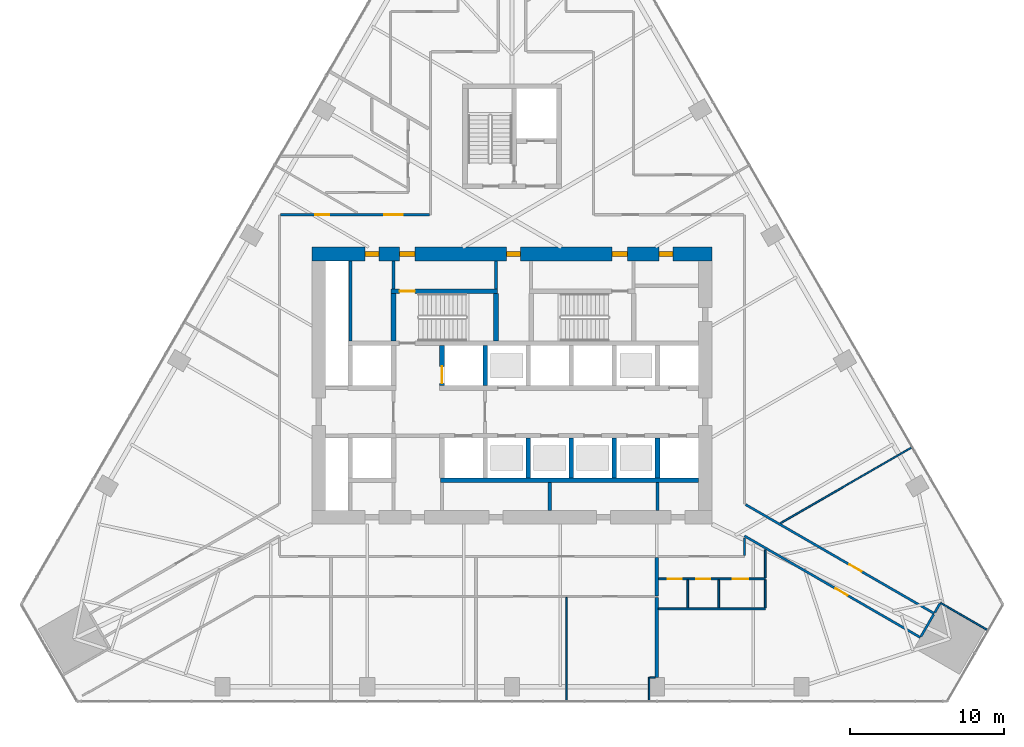
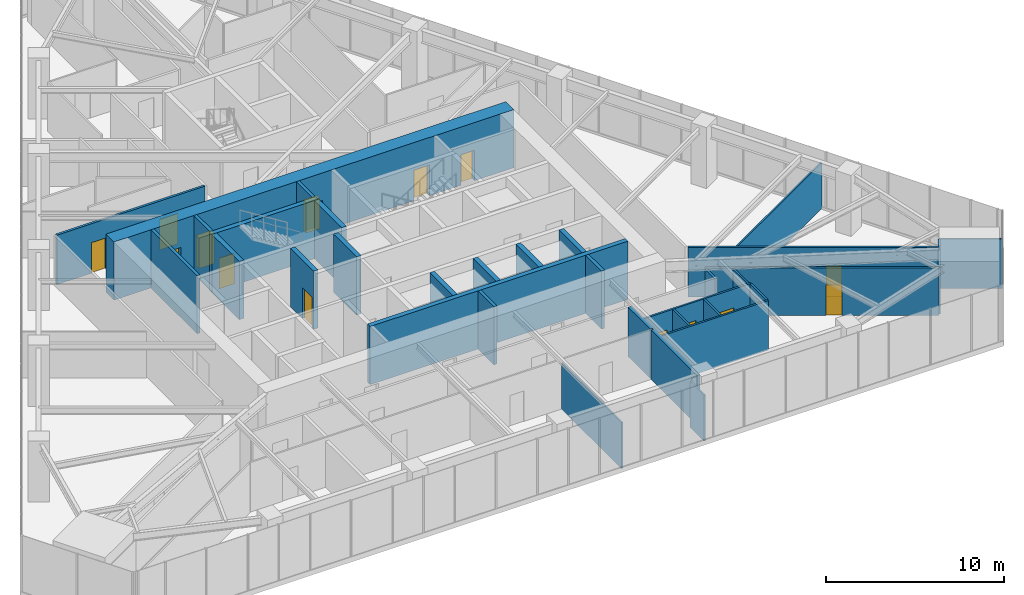
# One storey, part 17 of 21: 35 walls, 14 doors, 14 openings.
"""IFC4 building model written with IfcOpenShell, lengths in metres."""

from ifc_helpers import new_model, si_unit, direction, frame, frame_2d, origin, place, context, subcontext, project, spatial, rectangle, extrude, material, layer, layer_set, type_object, element, fill, save


model = new_model("IFC4")

# Units and contexts
model_context = context("Model", 3, precision=1e-05, world=origin(), true_north=direction((0.0, 1.0)))
body_context = subcontext(model_context, "Body", "Model", "MODEL_VIEW")
ifc_project = project(units=[si_unit("LENGTHUNIT", "METRE"), si_unit("AREAUNIT", "SQUARE_METRE"), si_unit("VOLUMEUNIT", "CUBIC_METRE"), si_unit("PLANEANGLEUNIT", "RADIAN"), si_unit("MASSUNIT", "GRAM", prefix="KILO")], contexts=[model_context])

# Site, building, storey
site_placement = place(None, origin())
site = spatial("IfcSite", under=ifc_project, at=site_placement, CompositionType="ELEMENT")
building_placement = place(site_placement, origin())
building = spatial("IfcBuilding", under=site, at=building_placement, Name="Firuza Gate Tower and Library", CompositionType="ELEMENT")
storey_placement = place(building_placement, frame((0.0, 0.0, 98.800048828125)))
storey = spatial("IfcBuildingStorey", under=building, at=storey_placement, Name="L22", CompositionType="ELEMENT", Elevation=98.800048828125)

# Walls
ifc_material_1 = material(Name="Plasterboard on steel studs", Category="steel")
ifc_layer_1 = layer(ifc_material_1, 0.199951171875)
ifc_layer_set_1 = layer_set([ifc_layer_1], Name="Core partition 200 EI 120")
wall_type_1 = type_object("IfcWallType", Name="Core partition 200 EI 120", PredefinedType="PARTITIONING", material=ifc_layer_set_1)
wall_1_placement = place(storey_placement, frame((64.5, 77.89990234375, 0.0), z_axis=(0.0, 0.0, 1.0), x_axis=(0.0, 1.0, 0.0)))
element("IfcWall", 1, at=wall_1_placement, inside=storey, type_object=wall_type_1, Name="Core partition L22 6", PredefinedType="PARTITIONING", context=body_context, shape_type="SweptSolid", body=[
    extrude(rectangle(XDim=5.2001953125, YDim=0.199951171875, at=frame_2d((2.60009765625, 0.0))), origin(), (0.0, 0.0, 1.0), 4.0),
])
wall_2_placement = place(storey_placement, frame((67.300048828125, 81.280029296875, 0.0), z_axis=(0.0, 0.0, 1.0), x_axis=(0.0, 1.0, 0.0)))
element("IfcWall", 2, at=wall_2_placement, inside=storey, type_object=wall_type_1, Name="Core partition L22 9", PredefinedType="PARTITIONING", context=body_context, shape_type="SweptSolid", body=[
    extrude(rectangle(XDim=1.820068359375, YDim=0.199951171875, at=frame_2d((0.91015625, 0.0))), origin(), (0.0, 0.0, 1.0), 4.0),
])
for number, where, z_axis, x_axis, name in (
    (3, (77.449951171875, 66.89990234375, 0.0), (0.0, 0.0, 1.0), (0.0, 1.0, 0.0), "Core partition L22 14"),
    (4, (84.449951171875, 66.89990234375, 0.0), (0.0, 0.0, 1.0), (0.0, 1.0, 0.0), "Core partition L22 16"),
):
    element("IfcWall", number, at=place(storey_placement, frame(where, z_axis=z_axis, x_axis=x_axis)), inside=storey, type_object=wall_type_1, Name=name, PredefinedType="PARTITIONING", context=body_context, shape_type="SweptSolid", body=[
        extrude(rectangle(XDim=1.800048828125, YDim=0.199951171875, at=frame_2d((0.89990234375, 0.0))), origin(), (0.0, 0.0, 1.0), 4.0),
    ])
ifc_material_2 = material(Name="Plasterboard on steel studs", Category="steel")
ifc_layer_2 = layer(ifc_material_2, 0.199951171875)
ifc_layer_set_2 = layer_set([ifc_layer_2], Name="Core partition 200 EI 60")
wall_type_2 = type_object("IfcWallType", Name="Core partition 200 EI 60", PredefinedType="PARTITIONING", material=ifc_layer_set_2)
wall_3_placement = place(storey_placement, frame((73.9599609375, 81.280029296875, 0.0), z_axis=(0.0, 0.0, 1.0), x_axis=(0.0, 1.0, 0.0)))
element("IfcWall", 5, at=wall_3_placement, inside=storey, type_object=wall_type_2, Name="Core partition L22 12", PredefinedType="PARTITIONING", context=body_context, shape_type="SweptSolid", body=[
    extrude(rectangle(XDim=1.820068359375, YDim=0.199951171875, at=frame_2d((0.91015625, 0.0))), origin(), (0.0, 0.0, 1.0), 4.0),
])
ifc_material_3 = material(Name="Concrete C80/95", Category="concrete")
ifc_layer_3 = layer(ifc_material_3, 0.300048828125)
ifc_layer_set_3 = layer_set([ifc_layer_3], Name="Core wall 300 C80/95")
wall_type_3 = type_object("IfcWallType", Name="Core wall 300 C80/95", PredefinedType="SHEAR", material=ifc_layer_set_3)
wall_4_placement = place(storey_placement, frame((70.35009765625, 68.85009765625, 0.0), z_axis=(0.0, 0.0, 1.0), x_axis=(1.0, 0.0, 0.0)))
element("IfcWall", 6, at=wall_4_placement, inside=storey, type_object=wall_type_3, Name="Core wall L22 6", PredefinedType="SHEAR", context=body_context, shape_type="SweptSolid", body=[
    extrude(rectangle(XDim=16.75, YDim=0.300048828125, at=frame_2d((8.375, 0.0))), origin(), (0.0, 0.0, 1.0), 4.0),
])

# Wall, opening, door
wall_5_placement = place(storey_placement, frame((70.449951171875, 75.0, 0.0), z_axis=(0.0, 0.0, 1.0), x_axis=(0.0, 1.0, 0.0)))
wall_5 = element("IfcWall", 7, at=wall_5_placement, inside=storey, type_object=wall_type_3, Name="Core wall L22 16", PredefinedType="SHEAR", context=body_context, shape_type="SweptSolid", body=[
    extrude(rectangle(XDim=2.60009765625, YDim=0.300048828125, at=frame_2d((1.300048828125, 0.0))), origin(), (0.0, 0.0, 1.0), 4.0),
])
opening_1_placement = place(wall_5_placement, frame((0.14990234375, 0.0, 0.0)))
opening_1 = element("IfcOpeningElement", 8, at=opening_1_placement, cuts=wall_5, Name="Opening LD-FF2-L22", PredefinedType="OPENING", context=body_context, shape_type="SweptSolid", body=[
    extrude(rectangle(XDim=1.10009765625, YDim=2.10009765625, at=frame_2d((0.550048828125, 1.050048828125))), frame((0.0, 0.16015625, 0.0), z_axis=(0.0, -1.0, 0.0), x_axis=(1.0, 0.0, 0.0)), (0.0, 0.0, 1.0), 0.320068359375),
])
ifc_material_4 = material(Name="Stainless steel", Category="steel")
door_type_1 = type_object("IfcDoorType", Name="Lift landing door 1100x2100", OperationType="DOUBLE_DOOR_SLIDING", PredefinedType="DOOR", material=ifc_material_4)
door_1_placement = place(opening_1_placement, origin())
door_1 = element("IfcDoor", 9, at=door_1_placement, inside=storey, type_object=door_type_1, Name="Landing door FF2 L22", OperationType="DOUBLE_DOOR_SLIDING", OverallHeight=2.10009765625, OverallWidth=1.10009765625, PredefinedType="DOOR", context=body_context, shape_type="SweptSolid", body=[
    extrude(rectangle(XDim=1.10009765625, YDim=2.10009765625, at=frame_2d((0.550048828125, 1.050048828125))), frame((0.0, 0.02490234375, 0.0), z_axis=(0.0, -1.0, 0.0), x_axis=(1.0, 0.0, 0.0)), (0.0, 0.0, 1.0), 0.050048828125),
])
fill(opening_1, door_1)

# Walls
for number, where, z_axis, x_axis, name in (
    (10, (73.25, 75.0, 0.0), (0.0, 0.0, 1.0), (0.0, 1.0, 0.0), "Core wall L22 18"),
    (11, (76.050048828125, 69.0, 0.0), (0.0, 0.0, 1.0), (0.0, 1.0, 0.0), "Core wall L22 19"),
    (12, (78.85009765625, 69.0, 0.0), (0.0, 0.0, 1.0), (0.0, 1.0, 0.0), "Core wall L22 21"),
    (13, (81.64990234375, 69.0, 0.0), (0.0, 0.0, 1.0), (0.0, 1.0, 0.0), "Core wall L22 23"),
    (14, (84.449951171875, 69.0, 0.0), (0.0, 0.0, 1.0), (0.0, 1.0, 0.0), "Core wall L22 25"),
):
    element("IfcWall", number, at=place(storey_placement, frame(where, z_axis=z_axis, x_axis=x_axis)), inside=storey, type_object=wall_type_3, Name=name, PredefinedType="SHEAR", context=body_context, shape_type="SweptSolid", body=[
        extrude(rectangle(XDim=2.60009765625, YDim=0.300048828125, at=frame_2d((1.300048828125, 0.0))), origin(), (0.0, 0.0, 1.0), 4.0),
    ])

# Wall, opening, door
wall_6_placement = place(storey_placement, frame((67.14990234375, 81.1298828125, 0.0), z_axis=(0.0, 0.0, 1.0), x_axis=(1.0, 0.0, 0.0)))
wall_6 = element("IfcWall", 15, at=wall_6_placement, inside=storey, type_object=wall_type_3, Name="Core wall L22 28", PredefinedType="SHEAR", context=body_context, shape_type="SweptSolid", body=[
    extrude(rectangle(XDim=6.91015625, YDim=0.300048828125, at=frame_2d((3.455078125, 0.0))), origin(), (0.0, 0.0, 1.0), 4.0),
])
opening_2_placement = place(wall_6_placement, frame((0.544921875, 0.0, 0.0)))
opening_2 = element("IfcOpeningElement", 16, at=opening_2_placement, cuts=wall_6, Name="Opening L22-K13", PredefinedType="OPENING", context=body_context, shape_type="SweptSolid", body=[
    extrude(rectangle(XDim=1.0, YDim=2.10009765625, at=frame_2d((0.5, 1.050048828125))), frame((0.0, 0.16015625, 0.0), z_axis=(0.0, -1.0, 0.0), x_axis=(1.0, 0.0, 0.0)), (0.0, 0.0, 1.0), 0.320068359375),
])
ifc_material_5 = material(Name="Steel", Category="steel")
door_type_2 = type_object("IfcDoorType", Name="Fire door 1000x2100 FD90", OperationType="NOTDEFINED", PredefinedType="DOOR", material=ifc_material_5)
door_2_placement = place(opening_2_placement, origin())
door_2 = element("IfcDoor", 17, at=door_2_placement, inside=storey, type_object=door_type_2, Name="Door L22-K13", OperationType="SINGLE_SWING_RIGHT", OverallHeight=2.10009765625, OverallWidth=1.0, PredefinedType="DOOR", context=body_context, shape_type="SweptSolid", body=[
    extrude(rectangle(XDim=1.0, YDim=2.10009765625, at=frame_2d((0.5, 1.050048828125))), frame((0.0, 0.02490234375, 0.0), z_axis=(0.0, -1.0, 0.0), x_axis=(1.0, 0.0, 0.0)), (0.0, 0.0, 1.0), 0.050048828125),
])
fill(opening_2, door_2)

# Walls
for number, where, z_axis, x_axis, name in (
    (18, (67.300048828125, 77.89990234375, 0.0), (0.0, 0.0, 1.0), (0.0, 1.0, 0.0), "Core wall L22 30"),
    (19, (73.9599609375, 77.89990234375, 0.0), (0.0, 0.0, 1.0), (0.0, 1.0, 0.0), "Core wall L22 31"),
):
    element("IfcWall", number, at=place(storey_placement, frame(where, z_axis=z_axis, x_axis=x_axis)), inside=storey, type_object=wall_type_3, Name=name, PredefinedType="SHEAR", context=body_context, shape_type="SweptSolid", body=[
        extrude(rectangle(XDim=3.080078125, YDim=0.300048828125, at=frame_2d((1.5400390625, 0.0))), origin(), (0.0, 0.0, 1.0), 4.0),
    ])

# Wall, openings, doors
ifc_material_6 = material(Name="Concrete C80/95", Category="concrete")
ifc_layer_4 = layer(ifc_material_6, 0.89990234375)
ifc_layer_set_4 = layer_set([ifc_layer_4], Name="Core wall 900 C80/95")
wall_type_4 = type_object("IfcWallType", Name="Core wall 900 C80/95", PredefinedType="SHEAR", material=ifc_layer_set_4)
wall_7_placement = place(storey_placement, frame((62.0, 83.550048828125, 0.0), z_axis=(0.0, 0.0, 1.0), x_axis=(1.0, 0.0, 0.0)))
wall_7 = element("IfcWall", 20, at=wall_7_placement, inside=storey, type_object=wall_type_4, Name="Core wall L22 2", PredefinedType="SHEAR", context=body_context, shape_type="SweptSolid", body=[
    extrude(rectangle(XDim=26.0, YDim=0.89990234375, at=frame_2d((13.0, 0.0))), origin(), (0.0, 0.0, 1.0), 4.0),
])
opening_3_placement = place(wall_7_placement, frame((5.695068359375, 0.0, 0.0)))
opening_3 = element("IfcOpeningElement", 21, at=opening_3_placement, cuts=wall_7, Name="Opening L22-K14", PredefinedType="OPENING", context=body_context, shape_type="SweptSolid", body=[
    extrude(rectangle(XDim=1.0, YDim=2.10009765625, at=frame_2d((0.5, 1.050048828125))), frame((0.0, 0.4599609375, 0.0), z_axis=(0.0, -1.0, 0.0), x_axis=(1.0, 0.0, 0.0)), (0.0, 0.0, 1.0), 0.919921875),
])
opening_4_placement = place(wall_7_placement, frame((19.5048828125, 0.0, 0.0)))
opening_4 = element("IfcOpeningElement", 22, at=opening_4_placement, cuts=wall_7, Name="Opening L22-K16", PredefinedType="OPENING", context=body_context, shape_type="SweptSolid", body=[
    extrude(rectangle(XDim=1.0, YDim=2.10009765625, at=frame_2d((0.5, 1.050048828125))), frame((0.0, 0.4599609375, 0.0), z_axis=(0.0, -1.0, 0.0), x_axis=(1.0, 0.0, 0.0)), (0.0, 0.0, 1.0), 0.919921875),
])
opening_5_placement = place(wall_7_placement, frame((3.449951171875, 0.0, 0.0)))
opening_5 = element("IfcOpeningElement", 23, at=opening_5_placement, cuts=wall_7, Name="Opening L22-K29", PredefinedType="OPENING", context=body_context, shape_type="SweptSolid", body=[
    extrude(rectangle(XDim=0.89990234375, YDim=2.10009765625, at=frame_2d((0.449951171875, 1.050048828125))), frame((0.0, 0.4599609375, 0.0), z_axis=(0.0, -1.0, 0.0), x_axis=(1.0, 0.0, 0.0)), (0.0, 0.0, 1.0), 0.919921875),
])
opening_6_placement = place(wall_7_placement, frame((12.64990234375, 0.0, 0.0)))
opening_6 = element("IfcOpeningElement", 24, at=opening_6_placement, cuts=wall_7, Name="Opening L22-K30", PredefinedType="OPENING", context=body_context, shape_type="SweptSolid", body=[
    extrude(rectangle(XDim=0.89990234375, YDim=2.10009765625, at=frame_2d((0.449951171875, 1.050048828125))), frame((0.0, 0.4599609375, 0.0), z_axis=(0.0, -1.0, 0.0), x_axis=(1.0, 0.0, 0.0)), (0.0, 0.0, 1.0), 0.919921875),
])
opening_7_placement = place(wall_7_placement, frame((22.550048828125, 0.0, 0.0)))
opening_7 = element("IfcOpeningElement", 25, at=opening_7_placement, cuts=wall_7, Name="Opening L22-K32", PredefinedType="OPENING", context=body_context, shape_type="SweptSolid", body=[
    extrude(rectangle(XDim=0.89990234375, YDim=2.10009765625, at=frame_2d((0.449951171875, 1.050048828125))), frame((0.0, 0.4599609375, 0.0), z_axis=(0.0, -1.0, 0.0), x_axis=(1.0, 0.0, 0.0)), (0.0, 0.0, 1.0), 0.919921875),
])
door_3_placement = place(opening_3_placement, origin())
door_3 = element("IfcDoor", 26, at=door_3_placement, inside=storey, type_object=door_type_2, Name="Door L22-K14", OperationType="SINGLE_SWING_LEFT", OverallHeight=2.10009765625, OverallWidth=1.0, PredefinedType="DOOR", context=body_context, shape_type="SweptSolid", body=[
    extrude(rectangle(XDim=1.0, YDim=2.10009765625, at=frame_2d((0.5, 1.050048828125))), frame((0.0, 0.169921875, 0.0), z_axis=(0.0, -1.0, 0.0), x_axis=(1.0, 0.0, 0.0)), (0.0, 0.0, 1.0), 0.33984375),
])
fill(opening_3, door_3)
door_4_placement = place(opening_4_placement, origin())
door_4 = element("IfcDoor", 27, at=door_4_placement, inside=storey, type_object=door_type_2, Name="Door L22-K16", OperationType="SINGLE_SWING_LEFT", OverallHeight=2.10009765625, OverallWidth=1.0, PredefinedType="DOOR", context=body_context, shape_type="SweptSolid", body=[
    extrude(rectangle(XDim=1.0, YDim=2.10009765625, at=frame_2d((0.5, 1.050048828125))), frame((0.0, 0.169921875, 0.0), z_axis=(0.0, -1.0, 0.0), x_axis=(1.0, 0.0, 0.0)), (0.0, 0.0, 1.0), 0.33984375),
])
fill(opening_4, door_4)
ifc_material_7 = material(Name="Steel", Category="steel")
door_type_3 = type_object("IfcDoorType", Name="Fire door 900x2100 FD30S", OperationType="NOTDEFINED", PredefinedType="DOOR", material=ifc_material_7)
door_5_placement = place(opening_5_placement, origin())
door_5 = element("IfcDoor", 28, at=door_5_placement, inside=storey, type_object=door_type_3, Name="Door L22-K29", OperationType="SINGLE_SWING_RIGHT", OverallHeight=2.10009765625, OverallWidth=0.89990234375, PredefinedType="DOOR", context=body_context, shape_type="SweptSolid", body=[
    extrude(rectangle(XDim=0.89990234375, YDim=2.10009765625, at=frame_2d((0.449951171875, 1.050048828125))), frame((0.0, 0.169921875, 0.0), z_axis=(0.0, -1.0, 0.0), x_axis=(1.0, 0.0, 0.0)), (0.0, 0.0, 1.0), 0.33984375),
])
fill(opening_5, door_5)
door_6_placement = place(opening_6_placement, origin())
door_6 = element("IfcDoor", 29, at=door_6_placement, inside=storey, type_object=door_type_3, Name="Door L22-K30", OperationType="SINGLE_SWING_LEFT", OverallHeight=2.10009765625, OverallWidth=0.89990234375, PredefinedType="DOOR", context=body_context, shape_type="SweptSolid", body=[
    extrude(rectangle(XDim=0.89990234375, YDim=2.10009765625, at=frame_2d((0.449951171875, 1.050048828125))), frame((0.0, 0.169921875, 0.0), z_axis=(0.0, -1.0, 0.0), x_axis=(1.0, 0.0, 0.0)), (0.0, 0.0, 1.0), 0.33984375),
])
fill(opening_6, door_6)
door_7_placement = place(opening_7_placement, origin())
door_7 = element("IfcDoor", 30, at=door_7_placement, inside=storey, type_object=door_type_3, Name="Door L22-K32", OperationType="SINGLE_SWING_LEFT", OverallHeight=2.10009765625, OverallWidth=0.89990234375, PredefinedType="DOOR", context=body_context, shape_type="SweptSolid", body=[
    extrude(rectangle(XDim=0.89990234375, YDim=2.10009765625, at=frame_2d((0.449951171875, 1.050048828125))), frame((0.0, 0.169921875, 0.0), z_axis=(0.0, -1.0, 0.0), x_axis=(1.0, 0.0, 0.0)), (0.0, 0.0, 1.0), 0.33984375),
])
fill(opening_7, door_7)

ifc_material_8 = material(Name="Gypsum board partition")
ifc_layer_5 = layer(ifc_material_8, 0.14990234375)
ifc_layer_set_5 = layer_set([ifc_layer_5], Name="Corridor wall 150 double board on steel studs")
wall_type_5 = type_object("IfcWallType", Name="Corridor wall 150 double board on steel studs", PredefinedType="PARTITIONING", material=ifc_layer_set_5)
wall_8_placement = place(storey_placement, frame((59.9755859375, 86.10009765625, 0.0), z_axis=(0.0, 0.0, 1.0), x_axis=(1.0, 0.0, 0.0)))
wall_8 = element("IfcWall", 31, at=wall_8_placement, inside=storey, type_object=wall_type_5, Name="f:L22:w005", PredefinedType="PARTITIONING", context=body_context, shape_type="SweptSolid", body=[
    extrude(rectangle(XDim=9.6494140625, YDim=0.14990234375, at=frame_2d((4.82470703125, 0.0))), origin(), (0.0, 0.0, 1.0), 3.39990234375),
])
opening_8_placement = place(wall_8_placement, frame((2.25244140625, 0.0, 0.0)))
opening_8 = element("IfcOpeningElement", 32, at=opening_8_placement, cuts=wall_8, Name="Opening L22-12", PredefinedType="OPENING", context=body_context, shape_type="SweptSolid", body=[
    extrude(rectangle(XDim=0.89990234375, YDim=2.10009765625, at=frame_2d((0.449951171875, 1.050048828125))), frame((0.0, 0.0849609375, 0.0), z_axis=(0.0, -1.0, 0.0), x_axis=(1.0, 0.0, 0.0)), (0.0, 0.0, 1.0), 0.169921875),
])
opening_9_placement = place(wall_8_placement, frame((6.722900390625, 0.0, 0.0)))
opening_9 = element("IfcOpeningElement", 33, at=opening_9_placement, cuts=wall_8, Name="Opening L22-13", PredefinedType="OPENING", context=body_context, shape_type="SweptSolid", body=[
    extrude(rectangle(XDim=1.199951171875, YDim=2.10009765625, at=frame_2d((0.60009765625, 1.050048828125))), frame((0.0, 0.0849609375, 0.0), z_axis=(0.0, -1.0, 0.0), x_axis=(1.0, 0.0, 0.0)), (0.0, 0.0, 1.0), 0.169921875),
])
ifc_material_9 = material(Name="Steel door and timber leaf", Category="steel")
door_type_4 = type_object("IfcDoorType", Name="Fire door 1200 x 2100 steel frame, double leaf", OperationType="NOTDEFINED", PredefinedType="DOOR", material=ifc_material_9)
door_8_placement = place(opening_9_placement, origin())
door_8 = element("IfcDoor", 34, at=door_8_placement, inside=storey, type_object=door_type_4, Name="f:L22:d013", OperationType="DOUBLE_DOOR_SINGLE_SWING", OverallHeight=2.10009765625, OverallWidth=1.199951171875, PredefinedType="DOOR", context=body_context, shape_type="SweptSolid", body=[
    extrude(rectangle(XDim=1.199951171875, YDim=2.10009765625, at=frame_2d((0.60009765625, 1.050048828125))), frame((0.0, 0.02490234375, 0.0), z_axis=(0.0, -1.0, 0.0), x_axis=(1.0, 0.0, 0.0)), (0.0, 0.0, 1.0), 0.050048828125),
])
fill(opening_9, door_8)
ifc_material_10 = material(Name="Steel door and timber leaf", Category="steel")
door_type_5 = type_object("IfcDoorType", Name="Fire door 900 x 2100 steel frame, timber leaf", OperationType="NOTDEFINED", PredefinedType="DOOR", material=ifc_material_10)
door_9_placement = place(opening_8_placement, origin())
door_9 = element("IfcDoor", 35, at=door_9_placement, inside=storey, type_object=door_type_5, Name="f:L22:d012", OperationType="SINGLE_SWING_LEFT", OverallHeight=2.10009765625, OverallWidth=0.89990234375, PredefinedType="DOOR", context=body_context, shape_type="SweptSolid", body=[
    extrude(rectangle(XDim=0.89990234375, YDim=2.10009765625, at=frame_2d((0.449951171875, 1.050048828125))), frame((0.0, 0.02490234375, 0.0), z_axis=(0.0, -1.0, 0.0), x_axis=(1.0, 0.0, 0.0)), (0.0, 0.0, 1.0), 0.050048828125),
])
fill(opening_8, door_9)

# Walls
wall_9_placement = place(storey_placement, frame((101.567138671875, 58.70947265625, 0.0), z_axis=(0.0, 0.0, 1.0), x_axis=(0.499991515992, 0.866030301974, 0.0)))
element("IfcWall", 36, at=wall_9_placement, inside=storey, type_object=wall_type_5, Name="f:L22:w024", PredefinedType="PARTITIONING", context=body_context, shape_type="SweptSolid", body=[
    extrude(rectangle(XDim=1.6494140625, YDim=0.14990234375, at=frame_2d((0.82470703125, 0.0))), origin(), (0.0, 0.0, 1.0), 3.2470703125),
])
wall_10_placement = place(storey_placement, frame((90.10009765625, 63.97509765625, 0.0), z_axis=(0.0, 0.0, 1.0), x_axis=(0.0, 1.0, 0.0)))
element("IfcWall", 37, at=wall_10_placement, inside=storey, type_object=wall_type_5, Name="f:L22:w026", PredefinedType="PARTITIONING", context=body_context, shape_type="SweptSolid", body=[
    extrude(rectangle(XDim=1.131103515625, YDim=0.14990234375, at=frame_2d((0.5654296875, 0.0))), origin(), (0.0, 0.0, 1.0), 3.2470703125),
])

# Wall, opening, door
wall_11_placement = place(storey_placement, frame((90.175048828125, 67.278076171875, 0.0), z_axis=(0.0, 0.0, 1.0), x_axis=(0.866020657332, -0.500008221008, 0.0)))
wall_11 = element("IfcWall", 38, at=wall_11_placement, inside=storey, type_object=wall_type_5, Name="f:L22:w055", PredefinedType="PARTITIONING", context=body_context, shape_type="SweptSolid", body=[
    extrude(rectangle(XDim=14.149658203125, YDim=0.14990234375, at=frame_2d((7.07470703125, 0.0))), origin(), (0.0, 0.0, 1.0), 3.39990234375),
])
opening_10_placement = place(wall_11_placement, frame((7.782470703125, 0.0, 0.0)))
opening_10 = element("IfcOpeningElement", 39, at=opening_10_placement, cuts=wall_11, Name="Opening L22-23", PredefinedType="OPENING", context=body_context, shape_type="SweptSolid", body=[
    extrude(rectangle(XDim=0.89990234375, YDim=2.10009765625, at=frame_2d((0.449951171875, 1.050048828125))), frame((0.0, 0.0849609375, 0.0), z_axis=(0.0, -1.0, 0.0), x_axis=(1.0, 0.0, 0.0)), (0.0, 0.0, 1.0), 0.169921875),
])
door_10_placement = place(opening_10_placement, origin())
door_10 = element("IfcDoor", 40, at=door_10_placement, inside=storey, type_object=door_type_5, Name="f:L22:d023", OperationType="SINGLE_SWING_RIGHT", OverallHeight=2.10009765625, OverallWidth=0.89990234375, PredefinedType="DOOR", context=body_context, shape_type="SweptSolid", body=[
    extrude(rectangle(XDim=0.89990234375, YDim=2.10009765625, at=frame_2d((0.449951171875, 1.050048828125))), frame((0.0, 0.02490234375, 0.0), z_axis=(0.0, -1.0, 0.0), x_axis=(1.0, 0.0, 0.0)), (0.0, 0.0, 1.0), 0.050048828125),
])
fill(opening_10, door_10)

wall_12_placement = place(storey_placement, frame((101.528564453125, 58.64453125, 0.0), z_axis=(0.0, 0.0, 1.0), x_axis=(-0.866020144196, 0.500009109764, 0.0)))
wall_12 = element("IfcWall", 41, at=wall_12_placement, inside=storey, type_object=wall_type_5, Name="f:L22:w056", PredefinedType="PARTITIONING", context=body_context, shape_type="SweptSolid", body=[
    extrude(rectangle(XDim=13.196533203125, YDim=0.14990234375, at=frame_2d((6.59814453125, 0.0))), origin(), (0.0, 0.0, 1.0), 3.2470703125),
])
opening_11_placement = place(wall_12_placement, frame((5.467041015625, 0.0, 0.0)))
opening_11 = element("IfcOpeningElement", 42, at=opening_11_placement, cuts=wall_12, Name="Opening L22-24", PredefinedType="OPENING", context=body_context, shape_type="SweptSolid", body=[
    extrude(rectangle(XDim=0.89990234375, YDim=2.10009765625, at=frame_2d((0.449951171875, 1.050048828125))), frame((0.0, 0.0849609375, 0.0), z_axis=(0.0, -1.0, 0.0), x_axis=(1.0, 0.0, 0.0)), (0.0, 0.0, 1.0), 0.169921875),
])
door_11_placement = place(opening_11_placement, origin())
door_11 = element("IfcDoor", 43, at=door_11_placement, inside=storey, type_object=door_type_5, Name="f:L22:d024", OperationType="SINGLE_SWING_RIGHT", OverallHeight=2.10009765625, OverallWidth=0.89990234375, PredefinedType="DOOR", context=body_context, shape_type="SweptSolid", body=[
    extrude(rectangle(XDim=0.89990234375, YDim=2.10009765625, at=frame_2d((0.449951171875, 1.050048828125))), frame((0.0, 0.02490234375, 0.0), z_axis=(0.0, -1.0, 0.0), x_axis=(1.0, 0.0, 0.0)), (0.0, 0.0, 1.0), 0.050048828125),
])
fill(opening_11, door_11)

# Walls
wall_13_placement = place(storey_placement, frame((102.467041015625, 60.267822265625, 0.0), z_axis=(0.0, 0.0, 1.0), x_axis=(0.499837337514, 0.866119296648, 0.0)))
element("IfcWall", 44, at=wall_13_placement, inside=storey, type_object=wall_type_5, Name="f:L22:w062", PredefinedType="PARTITIONING", context=body_context, shape_type="SweptSolid", body=[
    extrude(rectangle(XDim=0.674560546875, YDim=0.14990234375, at=frame_2d((0.33740234375, 0.0))), origin(), (0.0, 0.0, 1.0), 3.39990234375),
])
ifc_material_11 = material(Name="Gypsum board partition")
ifc_layer_6 = layer(ifc_material_11, 0.199951171875)
ifc_layer_set_6 = layer_set([ifc_layer_6], Name="Demising wall 200 acoustic double stud")
wall_type_6 = type_object("IfcWallType", Name="Demising wall 200 acoustic double stud", PredefinedType="PARTITIONING", material=ifc_layer_set_6)
wall_14_placement = place(storey_placement, frame((84.403076171875, 56.056396484375, 0.0), z_axis=(0.0, 0.0, 1.0), x_axis=(0.0, 1.0, 0.0)))
element("IfcWall", 45, at=wall_14_placement, inside=storey, type_object=wall_type_6, Name="f:L22:w030", PredefinedType="PARTITIONING", context=body_context, shape_type="SweptSolid", body=[
    extrude(rectangle(XDim=5.193603515625, YDim=0.199951171875, at=frame_2d((2.5966796875, 0.0))), origin(), (0.0, 0.0, 1.0), 3.39990234375),
])
wall_15_placement = place(storey_placement, frame((84.403076171875, 61.35009765625, 0.0), z_axis=(0.0, 0.0, 1.0), x_axis=(0.0, 1.0, 0.0)))
element("IfcWall", 46, at=wall_15_placement, inside=storey, type_object=wall_type_6, Name="f:L22:w058", PredefinedType="PARTITIONING", context=body_context, shape_type="SweptSolid", body=[
    extrude(rectangle(XDim=2.474853515625, YDim=0.199951171875, at=frame_2d((1.2373046875, 0.0))), origin(), (0.0, 0.0, 1.0), 3.39990234375),
])
ifc_material_12 = material(Name="Gypsum board partition")
ifc_layer_7 = layer(ifc_material_12, 0.10009765625)
ifc_layer_set_7 = layer_set([ifc_layer_7], Name="Partition 100 gypsum board on steel studs")
wall_type_7 = type_object("IfcWallType", Name="Partition 100 gypsum board on steel studs", PredefinedType="PARTITIONING", material=ifc_layer_set_7)
wall_16_placement = place(storey_placement, frame((83.953857421875, 56.055908203125, 0.0), z_axis=(0.0, 0.0, 1.0), x_axis=(1.0, 0.0, 0.0)))
element("IfcWall", 47, at=wall_16_placement, inside=storey, type_object=wall_type_7, Name="f:L22:w000", PredefinedType="PARTITIONING", context=body_context, shape_type="SweptSolid", body=[
    extrude(rectangle(XDim=0.348876953125, YDim=0.10009765625, at=frame_2d((0.17431640625, 0.0))), origin(), (0.0, 0.0, 1.0), 3.39990234375),
])
wall_17_placement = place(storey_placement, frame((92.456787109375, 66.0771484375, 0.0), z_axis=(0.0, 0.0, 1.0), x_axis=(0.866029936849, 0.499992148419, 0.0)))
element("IfcWall", 48, at=wall_17_placement, inside=storey, type_object=wall_type_7, Name="f:L22:w015", PredefinedType="PARTITIONING", context=body_context, shape_type="SweptSolid", body=[
    extrude(rectangle(XDim=9.847412109375, YDim=0.10009765625, at=frame_2d((4.923828125, 0.0))), origin(), (0.0, 0.0, 1.0), 3.1650390625),
])
wall_18_placement = place(storey_placement, frame((83.903076171875, 54.495849609375, 0.0), z_axis=(0.0, 0.0, 1.0), x_axis=(0.0, 1.0, 0.0)))
element("IfcWall", 49, at=wall_18_placement, inside=storey, type_object=wall_type_7, Name="f:L22:w031", PredefinedType="PARTITIONING", context=body_context, shape_type="SweptSolid", body=[
    extrude(rectangle(XDim=1.5595703125, YDim=0.10009765625, at=frame_2d((0.77978515625, 0.0))), origin(), (0.0, 0.0, 1.0), 3.1650390625),
])
wall_19_placement = place(storey_placement, frame((78.52587890625, 54.495849609375, 0.0), z_axis=(0.0, 0.0, 1.0), x_axis=(0.0, 1.0, 0.0)))
element("IfcWall", 50, at=wall_19_placement, inside=storey, type_object=wall_type_7, Name="f:L22:w034", PredefinedType="PARTITIONING", context=body_context, shape_type="SweptSolid", body=[
    extrude(rectangle(XDim=6.754150390625, YDim=0.10009765625, at=frame_2d((3.376953125, 0.0))), origin(), (0.0, 0.0, 1.0), 3.1650390625),
])
wall_20_placement = place(storey_placement, frame((105.912109375, 59.115966796875, 0.0), z_axis=(0.0, 0.0, 1.0), x_axis=(-0.866014251095, 0.500019316528, 0.0)))
element("IfcWall", 51, at=wall_20_placement, inside=storey, type_object=wall_type_7, Name="f:L22:w054", PredefinedType="PARTITIONING", context=body_context, shape_type="SweptSolid", body=[
    extrude(rectangle(XDim=3.559326171875, YDim=0.10009765625, at=frame_2d((1.77978515625, 0.0))), origin(), (0.0, 0.0, 1.0), 3.39990234375),
])
ifc_material_13 = material(Name="Gypsum board partition")
ifc_layer_8 = layer(ifc_material_13, 0.1201171875)
ifc_layer_set_8 = layer_set([ifc_layer_8], Name="Wet-area partition 120 moisture-resistant board")
wall_type_8 = type_object("IfcWallType", Name="Wet-area partition 120 moisture-resistant board", PredefinedType="PARTITIONING", material=ifc_layer_set_8)
wall_21_placement = place(storey_placement, frame((84.50390625, 60.5, 0.0), z_axis=(0.0, 0.0, 1.0), x_axis=(1.0, 0.0, 0.0)))
element("IfcWall", 52, at=wall_21_placement, inside=storey, type_object=wall_type_8, Name="f:L22:w001", PredefinedType="PARTITIONING", context=body_context, shape_type="SweptSolid", body=[
    extrude(rectangle(XDim=6.951416015625, YDim=0.1201171875, at=frame_2d((3.4755859375, 0.0))), origin(), (0.0, 0.0, 1.0), 3.39990234375),
])

# Wall, openings, doors
wall_22_placement = place(storey_placement, frame((84.50341796875, 62.449951171875, 0.0), z_axis=(0.0, 0.0, 1.0), x_axis=(1.0, 0.0, 0.0)))
wall_22 = element("IfcWall", 53, at=wall_22_placement, inside=storey, type_object=wall_type_8, Name="f:L22:w003", PredefinedType="PARTITIONING", context=body_context, shape_type="SweptSolid", body=[
    extrude(rectangle(XDim=6.952392578125, YDim=0.1201171875, at=frame_2d((3.47607421875, 0.0))), origin(), (0.0, 0.0, 1.0), 3.39990234375),
])
opening_12_placement = place(wall_22_placement, frame((0.60888671875, 0.0, 0.0)))
opening_12 = element("IfcOpeningElement", 54, at=opening_12_placement, cuts=wall_22, Name="Opening L22-05", PredefinedType="OPENING", context=body_context, shape_type="SweptSolid", body=[
    extrude(rectangle(XDim=0.89990234375, YDim=2.10009765625, at=frame_2d((0.449951171875, 1.050048828125))), frame((0.0, 0.070068359375, 0.0), z_axis=(0.0, -1.0, 0.0), x_axis=(1.0, 0.0, 0.0)), (0.0, 0.0, 1.0), 0.14013671875),
])
opening_13_placement = place(wall_22_placement, frame((2.472412109375, 0.0, 0.0)))
opening_13 = element("IfcOpeningElement", 55, at=opening_13_placement, cuts=wall_22, Name="Opening L22-06", PredefinedType="OPENING", context=body_context, shape_type="SweptSolid", body=[
    extrude(rectangle(XDim=0.89990234375, YDim=2.10009765625, at=frame_2d((0.449951171875, 1.050048828125))), frame((0.0, 0.070068359375, 0.0), z_axis=(0.0, -1.0, 0.0), x_axis=(1.0, 0.0, 0.0)), (0.0, 0.0, 1.0), 0.14013671875),
])
opening_14_placement = place(wall_22_placement, frame((4.83984375, 0.0, 0.0)))
opening_14 = element("IfcOpeningElement", 56, at=opening_14_placement, cuts=wall_22, Name="Opening L22-07", PredefinedType="OPENING", context=body_context, shape_type="SweptSolid", body=[
    extrude(rectangle(XDim=1.0, YDim=2.10009765625, at=frame_2d((0.5, 1.050048828125))), frame((0.0, 0.070068359375, 0.0), z_axis=(0.0, -1.0, 0.0), x_axis=(1.0, 0.0, 0.0)), (0.0, 0.0, 1.0), 0.14013671875),
])
ifc_material_14 = material(Name="Timber door", Category="wood")
door_type_6 = type_object("IfcDoorType", Name="Door 1000 x 2100 timber leaf", OperationType="NOTDEFINED", PredefinedType="DOOR", material=ifc_material_14)
door_12_placement = place(opening_14_placement, origin())
door_12 = element("IfcDoor", 57, at=door_12_placement, inside=storey, type_object=door_type_6, Name="f:L22:d007", OperationType="SINGLE_SWING_LEFT", OverallHeight=2.10009765625, OverallWidth=1.0, PredefinedType="DOOR", context=body_context, shape_type="SweptSolid", body=[
    extrude(rectangle(XDim=1.0, YDim=2.10009765625, at=frame_2d((0.5, 1.050048828125))), frame((0.0, 0.02490234375, 0.0), z_axis=(0.0, -1.0, 0.0), x_axis=(1.0, 0.0, 0.0)), (0.0, 0.0, 1.0), 0.050048828125),
])
fill(opening_14, door_12)
ifc_material_15 = material(Name="Timber door", Category="wood")
door_type_7 = type_object("IfcDoorType", Name="Door 900 x 2100 timber leaf", OperationType="NOTDEFINED", PredefinedType="DOOR", material=ifc_material_15)
door_13_placement = place(opening_12_placement, origin())
door_13 = element("IfcDoor", 58, at=door_13_placement, inside=storey, type_object=door_type_7, Name="f:L22:d005", OperationType="SINGLE_SWING_LEFT", OverallHeight=2.10009765625, OverallWidth=0.89990234375, PredefinedType="DOOR", context=body_context, shape_type="SweptSolid", body=[
    extrude(rectangle(XDim=0.89990234375, YDim=2.10009765625, at=frame_2d((0.449951171875, 1.050048828125))), frame((0.0, 0.02490234375, 0.0), z_axis=(0.0, -1.0, 0.0), x_axis=(1.0, 0.0, 0.0)), (0.0, 0.0, 1.0), 0.050048828125),
])
fill(opening_12, door_13)
door_14_placement = place(opening_13_placement, origin())
door_14 = element("IfcDoor", 59, at=door_14_placement, inside=storey, type_object=door_type_7, Name="f:L22:d006", OperationType="SINGLE_SWING_RIGHT", OverallHeight=2.10009765625, OverallWidth=0.89990234375, PredefinedType="DOOR", context=body_context, shape_type="SweptSolid", body=[
    extrude(rectangle(XDim=0.89990234375, YDim=2.10009765625, at=frame_2d((0.449951171875, 1.050048828125))), frame((0.0, 0.02490234375, 0.0), z_axis=(0.0, -1.0, 0.0), x_axis=(1.0, 0.0, 0.0)), (0.0, 0.0, 1.0), 0.050048828125),
])
fill(opening_13, door_14)

# Walls
wall_23_placement = place(storey_placement, frame((91.4560546875, 60.560546875, 0.0), z_axis=(0.0, 0.0, 1.0), x_axis=(0.0, 1.0, 0.0)))
element("IfcWall", 60, at=wall_23_placement, inside=storey, type_object=wall_type_8, Name="f:L22:w025", PredefinedType="PARTITIONING", context=body_context, shape_type="SweptSolid", body=[
    extrude(rectangle(XDim=1.829345703125, YDim=0.1201171875, at=frame_2d((0.91455078125, 0.0))), origin(), (0.0, 0.0, 1.0), 3.39990234375),
])
for number, where, z_axis, x_axis, name in (
    (61, (88.43310546875, 60.56005859375, 0.0), (0.0, 0.0, 1.0), (0.0, 1.0, 0.0), "f:L22:w028"),
    (62, (86.41796875, 60.56005859375, 0.0), (0.0, 0.0, 1.0), (0.0, 1.0, 0.0), "f:L22:w029"),
):
    element("IfcWall", number, at=place(storey_placement, frame(where, z_axis=z_axis, x_axis=x_axis)), inside=storey, type_object=wall_type_8, Name=name, PredefinedType="PARTITIONING", context=body_context, shape_type="SweptSolid", body=[
        extrude(rectangle(XDim=1.829833984375, YDim=0.1201171875, at=frame_2d((0.9150390625, 0.0))), origin(), (0.0, 0.0, 1.0), 3.39990234375),
    ])
wall_24_placement = place(storey_placement, frame((91.4560546875, 62.510009765625, 0.0), z_axis=(0.0, 0.0, 1.0), x_axis=(0.0, 1.0, 0.0)))
element("IfcWall", 63, at=wall_24_placement, inside=storey, type_object=wall_type_8, Name="f:L22:w059", PredefinedType="PARTITIONING", context=body_context, shape_type="SweptSolid", body=[
    extrude(rectangle(XDim=1.8232421875, YDim=0.1201171875, at=frame_2d((0.91162109375, 0.0))), origin(), (0.0, 0.0, 1.0), 3.2470703125),
])

save(model, "model.ifc")
